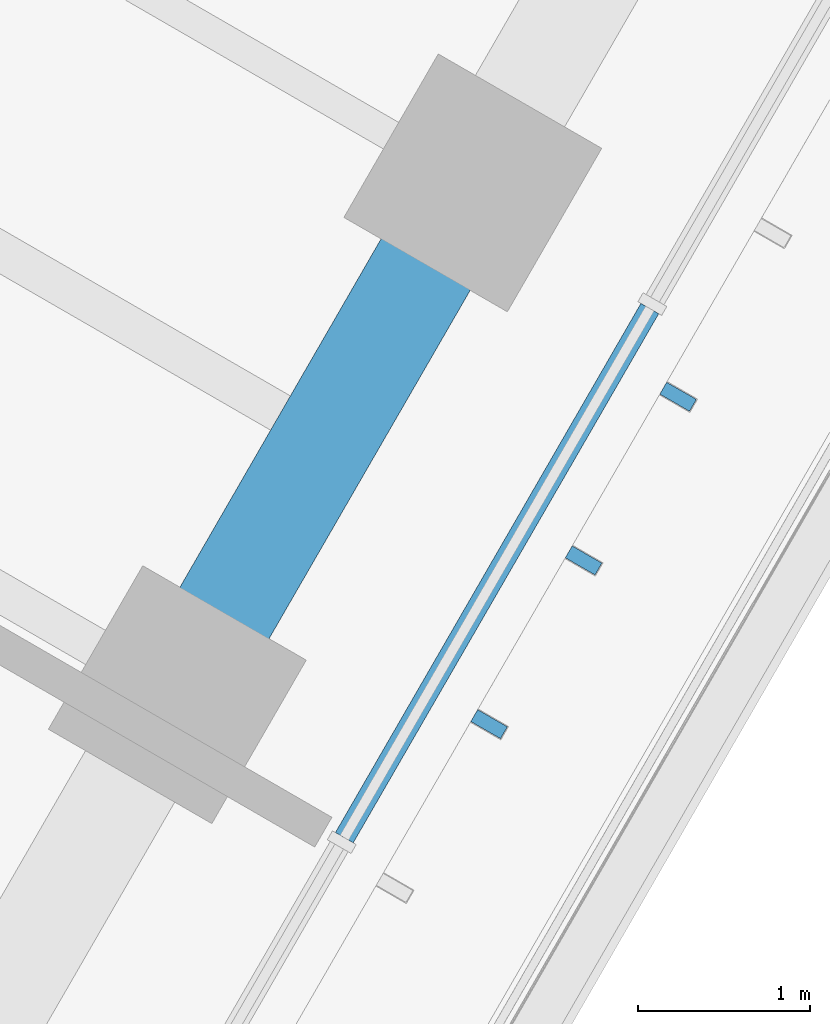
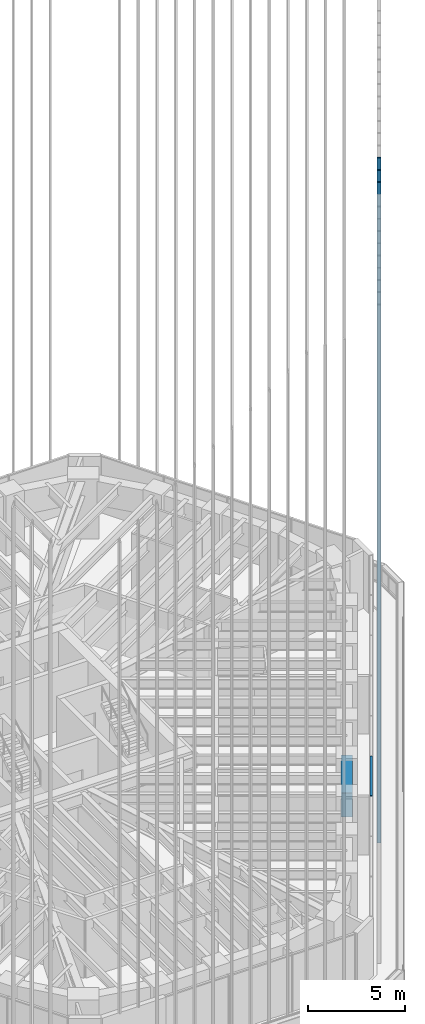
# One storey, part 40 of 127: 4 members, 1 beam, 1 element without a shape of its own.
"""IFC4 building model written with IfcOpenShell, lengths in metres."""

from ifc_helpers import new_model, si_unit, direction, frame, origin, origin_2d, place, context, subcontext, project, spatial, rectangle, extrude, material, material_profile, profile_set, type_object, element, aggregate, save


model = new_model("IFC4")

# Units and contexts
model_context = context("Model", 3, precision=1e-05, world=origin(), true_north=direction((0.0, 1.0)))
body_context = subcontext(model_context, "Body", "Model", "MODEL_VIEW")
ifc_project = project(units=[si_unit("LENGTHUNIT", "METRE"), si_unit("AREAUNIT", "SQUARE_METRE"), si_unit("VOLUMEUNIT", "CUBIC_METRE"), si_unit("PLANEANGLEUNIT", "RADIAN"), si_unit("MASSUNIT", "GRAM", prefix="KILO")], contexts=[model_context])

# Site, building, storey
site_placement = place(None, origin())
site = spatial("IfcSite", under=ifc_project, at=site_placement, CompositionType="ELEMENT")
building_placement = place(site_placement, origin())
building = spatial("IfcBuilding", under=site, at=building_placement, Name="Sandreach Pilgrim Tower", CompositionType="ELEMENT")
storey_placement = place(building_placement, frame((0.0, 0.0, 257.0)))
storey = spatial("IfcBuildingStorey", under=building, at=storey_placement, Name="L64", CompositionType="ELEMENT", Elevation=257.0)

# Curtain wall, member
ifc_material_1 = material(Name="Aluminium framed curtain wall", Category="aluminium")
curtain_wall_type = type_object("IfcCurtainWallType", Name="Suite tower curtain wall", PredefinedType="NOTDEFINED", material=ifc_material_1)
curtain_wall_placement = place(storey_placement, origin())
curtain_wall = element("IfcCurtainWall", 1, at=curtain_wall_placement, inside=storey, type_object=curtain_wall_type, Name="CW-4 L64 SE", PredefinedType="NOTDEFINED")
ifc_material_2 = material(Name="Aluminium extrusion", Category="aluminium")
ifc_material_profile_1 = material_profile(ifc_material_2, rectangle(XDim=0.1201171875, YDim=0.070068359375, at=origin_2d()), Name="CW-4T 120X70")
ifc_profile_set_1 = profile_set([ifc_material_profile_1], Name="Aluminium extrusion")
member_type_1 = type_object("IfcMemberType", Name="CW-4 transom", PredefinedType="USERDEFINED", material=ifc_profile_set_1)
member_1_placement = place(storey_placement, frame((16.249755859375, -11.507568359375, 3.60498046875), z_axis=(-0.500009219579, -0.866020080793, 0.0), x_axis=(0.866020080793, -0.500009219579, 0.0)))
member_1 = element("IfcMember", 2, at=member_1_placement, type_object=member_type_1, Name="CW-4 head transom 6", ObjectType="TRANSOM", PredefinedType="USERDEFINED", context=body_context, shape_type="SweptSolid", body=[
    extrude(rectangle(XDim=0.1201171875, YDim=0.070068359375, at=origin_2d()), origin(), (0.0, 0.0, 1.0), 3.56201171875),
])

# Beam
ifc_material_3 = material(Name="Concrete 10000 psi", Category="concrete")
ifc_material_profile_2 = material_profile(ifc_material_3, rectangle(XDim=0.60009765625, YDim=1.5, at=origin_2d()), Name="RC600X1500")
ifc_profile_set_2 = profile_set([ifc_material_profile_2], Name="Concrete 10000 psi")
beam_type = type_object("IfcBeamType", Name="Spandrel beam RC600X1500", PredefinedType="SPANDREL", material=ifc_profile_set_2)
beam_placement = place(storey_placement, frame((15.2177734375, -10.77490234375, 2.889892578125), z_axis=(-0.500010754882, -0.866019194361, 0.0), x_axis=(0.866019194361, -0.500010754882, 0.0)))
element("IfcBeam", 3, at=beam_placement, inside=storey, type_object=beam_type, Name="BM L64 SP18", PredefinedType="SPANDREL", context=body_context, shape_type="SweptSolid", body=[
    extrude(rectangle(XDim=0.60009765625, YDim=1.5, at=origin_2d()), origin(), (0.0, 0.0, 1.0), 3.4453125),
])

# Member
ifc_material_4 = material(Name="Extruded terracotta on aluminium core", Category="masonry")
ifc_material_profile_3 = material_profile(ifc_material_4, rectangle(XDim=0.080078125, YDim=0.199951171875, at=origin_2d()), Name="TBE 80X200")
ifc_profile_set_3 = profile_set([ifc_material_profile_3], Name="Extruded terracotta on aluminium core")
member_type_2 = type_object("IfcMemberType", Name="Terracotta baguette east", PredefinedType="USERDEFINED", material=ifc_profile_set_3)
member_2_placement = place(storey_placement, frame((16.41455078125, -12.02197265625, 0.0), z_axis=(0.0, 0.0, 1.0), x_axis=(-0.5, -0.866025403784, 0.0)))
member_2 = element("IfcMember", 4, at=member_2_placement, type_object=member_type_2, Name="Baguette Z4 SE17", ObjectType="BAGUETTE", PredefinedType="USERDEFINED", context=body_context, shape_type="SweptSolid", body=[
    extrude(rectangle(XDim=0.080078125, YDim=0.199951171875, at=origin_2d()), origin(), (0.0, 0.0, 1.0), 41.639892578125),
])

member_3_placement = place(storey_placement, frame((15.86376953125, -12.97607421875, 0.0), z_axis=(0.0, 0.0, 1.0), x_axis=(-0.5, -0.866025403784, 0.0)))
member_3 = element("IfcMember", 5, at=member_3_placement, type_object=member_type_2, Name="Baguette Z4 SE18", ObjectType="BAGUETTE", PredefinedType="USERDEFINED", context=body_context, shape_type="SweptSolid", body=[
    extrude(rectangle(XDim=0.080078125, YDim=0.199951171875, at=origin_2d()), origin(), (0.0, 0.0, 1.0), 41.639892578125),
])

member_4_placement = place(storey_placement, frame((15.312744140625, -13.930419921875, 0.0), z_axis=(0.0, 0.0, 1.0), x_axis=(-0.5, -0.866025403784, 0.0)))
member_4 = element("IfcMember", 6, at=member_4_placement, type_object=member_type_2, Name="Baguette Z4 SE19", ObjectType="BAGUETTE", PredefinedType="USERDEFINED", context=body_context, shape_type="SweptSolid", body=[
    extrude(rectangle(XDim=0.080078125, YDim=0.199951171875, at=origin_2d()), origin(), (0.0, 0.0, 1.0), 41.639892578125),
])

aggregate(curtain_wall, [member_1, member_2, member_3, member_4])

save(model, "model.ifc")
